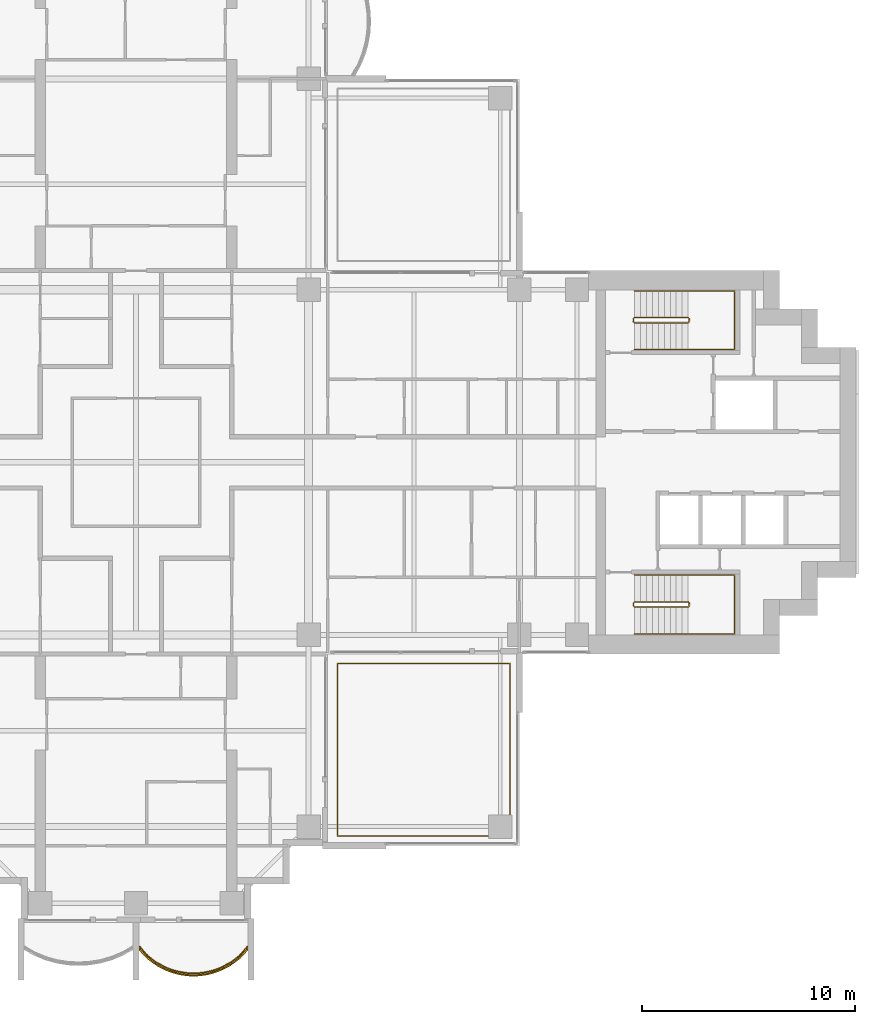
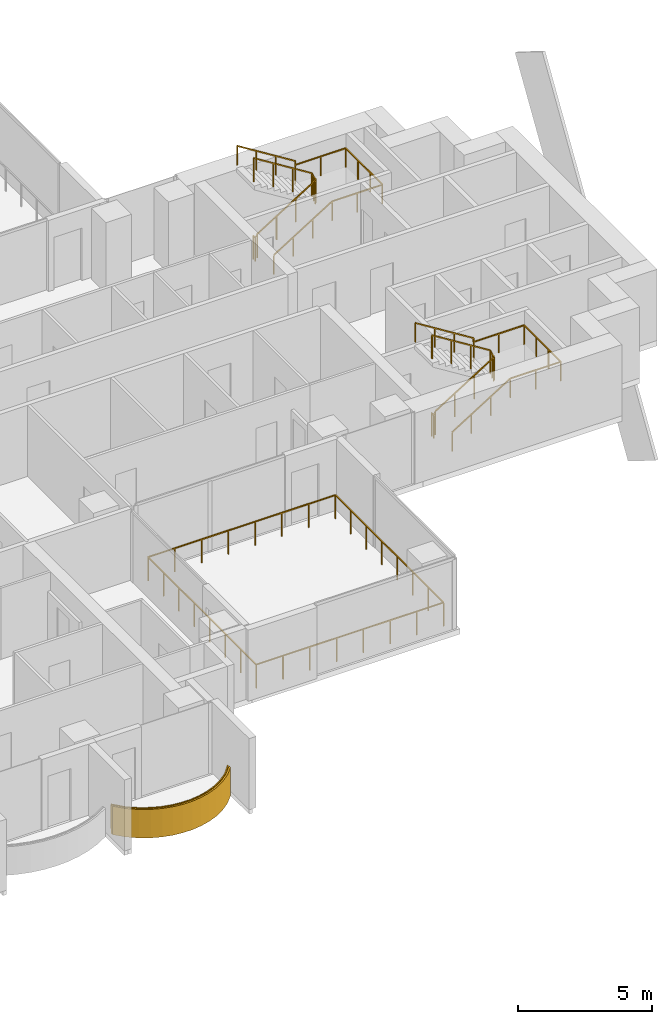
# One storey, part 17 of 19: 6 railings, 1 covering.
"""IFC4 building model written with IfcOpenShell, lengths in metres."""

from ifc_helpers import new_model, si_unit, direction, frame, origin, origin_2d, place, context, subcontext, project, spatial, polyline, rectangle, outline, extrude, material, layer, layer_set, type_object, element, save


model = new_model("IFC4")

# Units and contexts
model_context = context("Model", 3, precision=1e-05, world=origin(), true_north=direction((0.0, 1.0)))
body_context = subcontext(model_context, "Body", "Model", "MODEL_VIEW")
ifc_project = project(units=[si_unit("LENGTHUNIT", "METRE"), si_unit("AREAUNIT", "SQUARE_METRE"), si_unit("VOLUMEUNIT", "CUBIC_METRE"), si_unit("PLANEANGLEUNIT", "RADIAN"), si_unit("MASSUNIT", "GRAM", prefix="KILO")], contexts=[model_context])

# Site, building, storey
site_placement = place(None, origin())
site = spatial("IfcSite", under=ifc_project, at=site_placement, CompositionType="ELEMENT")
building_placement = place(site_placement, origin())
building = spatial("IfcBuilding", under=site, at=building_placement, Name="Perihelion Cross Residences", CompositionType="ELEMENT")
storey_placement = place(building_placement, frame((0.0, 0.0, 109.39990234375)))
storey = spatial("IfcBuildingStorey", under=building, at=storey_placement, Name="L25", CompositionType="ELEMENT", Elevation=109.39990234375)

# Covering
ifc_material_1 = material(Name="Bronze anodised aluminium", Category="aluminium")
ifc_layer = layer(ifc_material_1, 0.070068359375)
ifc_layer_set = layer_set([ifc_layer], Name="Balcony fascia 1300")
covering_type = type_object("IfcCoveringType", Name="Balcony fascia 1300", PredefinedType="CLADDING", material=ifc_layer_set)
covering_placement = place(storey_placement, frame((0.0, 0.0, -0.199951171875)))
element("IfcCovering", 1, at=covering_placement, inside=storey, type_object=covering_type, Name="Fascia BF1 L25 south tip south bay 2", PredefinedType="CLADDING", context=body_context, shape_type="SweptSolid", body=[
    extrude(outline(polyline([(0.4951171875, -23.27392578125), (0.89599609375, -23.58251953125), (1.296875, -23.806396484375), (1.69775390625, -23.9638671875), (2.0986328125, -24.064697265625), (2.49951171875, -24.114013671875), (2.900390625, -24.114013671875), (3.30126953125, -24.064697265625), (3.7021484375, -23.9638671875), (4.10302734375, -23.806396484375), (4.50390625, -23.58251953125), (4.90478515625, -23.27392578125), (5.25, -22.90283203125), (5.25, -22.800048828125), (4.857666015625, -23.22216796875), (4.46533203125, -23.524169921875), (4.072998046875, -23.7431640625), (3.6806640625, -23.897216796875), (3.28857421875, -23.995849609375), (2.896240234375, -24.0439453125), (2.50390625, -24.0439453125), (2.111572265625, -23.995849609375), (1.71923828125, -23.897216796875), (1.326904296875, -23.7431640625), (0.9345703125, -23.524169921875), (0.542236328125, -23.22216796875), (0.14990234375, -22.800048828125), (0.14990234375, -22.90283203125), (0.4951171875, -23.27392578125)])), origin(), (0.0, 0.0, 1.0), 1.300048828125),
])

# Railings
ifc_material_2 = material(Name="Bronze anodised aluminium", Category="aluminium")
railing_type_1 = type_object("IfcRailingType", Name="Balcony guard 1100", PredefinedType="GUARDRAIL", material=ifc_material_2)
railing_1_placement = place(storey_placement, frame((0.175048828125, -22.739990234375, 0.0)))
element("IfcRailing", 2, at=railing_1_placement, inside=storey, type_object=railing_type_1, Name="Guard GU1 L25 south tip south bay 2 balcony", PredefinedType="GUARDRAIL", context=body_context, shape_type="SweptSolid", body=[
    extrude(rectangle(XDim=0.048095703125, YDim=0.048095703125, at=origin_2d()), frame((0.0, 0.0, 1.076171875), z_axis=(0.656308349551, -0.754492776844, 0.0), x_axis=(0.754492776844, 0.656308349551, 0.0)), (0.0, 0.0, 1.0), 0.5595703125),
    extrude(rectangle(XDim=0.048095703125, YDim=0.048095703125, at=origin_2d()), frame((0.3671875, -0.422119140625, 1.076171875), z_axis=(0.792422303655, -0.609972862241, 0.0), x_axis=(0.609972862241, 0.792422303655, 0.0)), (0.0, 0.0, 1.0), 0.4951171875),
    extrude(rectangle(XDim=0.048095703125, YDim=0.048095703125, at=origin_2d()), frame((0.759521484375, -0.72412109375, 1.076171875), z_axis=(0.873181568748, -0.487395063576, 0.0), x_axis=(0.487395063576, 0.873181568748, 0.0)), (0.0, 0.0, 1.0), 0.44921875),
    extrude(rectangle(XDim=0.048095703125, YDim=0.048095703125, at=origin_2d()), frame((1.15185546875, -0.943115234375, 1.076171875), z_axis=(0.930617693705, -0.365992770642, 0.0), x_axis=(0.365992770642, 0.930617693705, 0.0)), (0.0, 0.0, 1.0), 0.421630859375),
    extrude(rectangle(XDim=0.048095703125, YDim=0.048095703125, at=origin_2d()), frame((1.544189453125, -1.097412109375, 1.076171875), z_axis=(0.969964714601, -0.243245662716, 0.0), x_axis=(0.243245662716, 0.969964714601, 0.0)), (0.0, 0.0, 1.0), 0.404541015625),
    extrude(rectangle(XDim=0.048095703125, YDim=0.048095703125, at=origin_2d()), frame((1.9365234375, -1.19580078125, 1.076171875), z_axis=(0.992494874491, -0.122286238425, 0.0), x_axis=(0.122286238425, 0.992494874491, 0.0)), (0.0, 0.0, 1.0), 0.395263671875),
    extrude(rectangle(XDim=0.048095703125, YDim=0.048095703125, at=origin_2d()), frame((2.328857421875, -1.244140625, 1.076171875), z_axis=(1.0, 0.0, 0.0), x_axis=(0.0, 1.0, 0.0)), (0.0, 0.0, 1.0), 0.392333984375),
    extrude(rectangle(XDim=0.048095703125, YDim=0.048095703125, at=origin_2d()), frame((2.72119140625, -1.244140625, 1.076171875), z_axis=(0.992494874491, 0.122286238425, 0.0), x_axis=(-0.122286238425, 0.992494874491, 0.0)), (0.0, 0.0, 1.0), 0.395263671875),
    extrude(rectangle(XDim=0.048095703125, YDim=0.048095703125, at=origin_2d()), frame((3.113525390625, -1.19580078125, 1.076171875), z_axis=(0.96992896989, 0.243388153715, 0.0), x_axis=(-0.243388153715, 0.96992896989, 0.0)), (0.0, 0.0, 1.0), 0.404296875),
    extrude(rectangle(XDim=0.048095703125, YDim=0.048095703125, at=origin_2d()), frame((3.505615234375, -1.097412109375, 1.076171875), z_axis=(0.930617693705, 0.365992770642, 0.0), x_axis=(-0.365992770642, 0.930617693705, 0.0)), (0.0, 0.0, 1.0), 0.421630859375),
    extrude(rectangle(XDim=0.048095703125, YDim=0.048095703125, at=origin_2d()), frame((3.89794921875, -0.943115234375, 1.076171875), z_axis=(0.873181568748, 0.487395063576, 0.0), x_axis=(-0.487395063576, 0.873181568748, 0.0)), (0.0, 0.0, 1.0), 0.44921875),
    extrude(rectangle(XDim=0.048095703125, YDim=0.048095703125, at=origin_2d()), frame((4.290283203125, -0.72412109375, 1.076171875), z_axis=(0.792422303655, 0.609972862241, 0.0), x_axis=(-0.609972862241, 0.792422303655, 0.0)), (0.0, 0.0, 1.0), 0.4951171875),
    extrude(rectangle(XDim=0.048095703125, YDim=0.048095703125, at=origin_2d()), frame((4.6826171875, -0.422119140625, 1.076171875), z_axis=(0.656556653543, 0.754276713606, 0.0), x_axis=(-0.754276713606, 0.656556653543, 0.0)), (0.0, 0.0, 1.0), 0.5595703125),
    extrude(rectangle(XDim=0.0419921875, YDim=0.0419921875, at=origin_2d()), origin(), (0.0, 0.0, 1.0), 1.052001953125),
    extrude(rectangle(XDim=0.0419921875, YDim=0.0419921875, at=origin_2d()), frame((0.3671875, -0.422119140625, 0.0)), (0.0, 0.0, 1.0), 1.052001953125),
    extrude(rectangle(XDim=0.0419921875, YDim=0.0419921875, at=origin_2d()), frame((0.759521484375, -0.72412109375, 0.0)), (0.0, 0.0, 1.0), 1.052001953125),
    extrude(rectangle(XDim=0.0419921875, YDim=0.0419921875, at=origin_2d()), frame((1.15185546875, -0.943115234375, 0.0)), (0.0, 0.0, 1.0), 1.052001953125),
    extrude(rectangle(XDim=0.0419921875, YDim=0.0419921875, at=origin_2d()), frame((1.544189453125, -1.097412109375, 0.0)), (0.0, 0.0, 1.0), 1.052001953125),
    extrude(rectangle(XDim=0.0419921875, YDim=0.0419921875, at=origin_2d()), frame((1.9365234375, -1.19580078125, 0.0)), (0.0, 0.0, 1.0), 1.052001953125),
    extrude(rectangle(XDim=0.0419921875, YDim=0.0419921875, at=origin_2d()), frame((2.328857421875, -1.244140625, 0.0)), (0.0, 0.0, 1.0), 1.052001953125),
    extrude(rectangle(XDim=0.0419921875, YDim=0.0419921875, at=origin_2d()), frame((2.72119140625, -1.244140625, 0.0)), (0.0, 0.0, 1.0), 1.052001953125),
    extrude(rectangle(XDim=0.0419921875, YDim=0.0419921875, at=origin_2d()), frame((3.113525390625, -1.19580078125, 0.0)), (0.0, 0.0, 1.0), 1.052001953125),
    extrude(rectangle(XDim=0.0419921875, YDim=0.0419921875, at=origin_2d()), frame((3.505615234375, -1.097412109375, 0.0)), (0.0, 0.0, 1.0), 1.052001953125),
    extrude(rectangle(XDim=0.0419921875, YDim=0.0419921875, at=origin_2d()), frame((3.89794921875, -0.943115234375, 0.0)), (0.0, 0.0, 1.0), 1.052001953125),
    extrude(rectangle(XDim=0.0419921875, YDim=0.0419921875, at=origin_2d()), frame((4.290283203125, -0.72412109375, 0.0)), (0.0, 0.0, 1.0), 1.052001953125),
    extrude(rectangle(XDim=0.0419921875, YDim=0.0419921875, at=origin_2d()), frame((4.6826171875, -0.422119140625, 0.0)), (0.0, 0.0, 1.0), 1.052001953125),
    extrude(rectangle(XDim=0.0419921875, YDim=0.0419921875, at=origin_2d()), frame((5.050048828125, 0.0, 0.0)), (0.0, 0.0, 1.0), 1.052001953125),
])
railing_2_placement = place(storey_placement, frame((17.550048828125, -17.550048828125, 0.0)))
element("IfcRailing", 3, at=railing_2_placement, inside=storey, type_object=railing_type_1, Name="Guard GU1 L25 pocket south-east 1", PredefinedType="GUARDRAIL", context=body_context, shape_type="SweptSolid", body=[
    extrude(rectangle(XDim=0.048095703125, YDim=0.048095703125, at=origin_2d()), frame((0.0, 0.0, 1.076171875), z_axis=(-1.0, 0.0, 0.0), x_axis=(0.0, -1.0, 0.0)), (0.0, 0.0, 1.0), 8.10009765625),
    extrude(rectangle(XDim=0.048095703125, YDim=0.048095703125, at=origin_2d()), frame((-8.10009765625, 0.0, 1.076171875), z_axis=(0.0, 1.0, 0.0), x_axis=(-1.0, 0.0, 0.0)), (0.0, 0.0, 1.0), 8.10009765625),
    extrude(rectangle(XDim=0.048095703125, YDim=0.048095703125, at=origin_2d()), frame((-8.10009765625, 8.10009765625, 1.076171875), z_axis=(1.0, 0.0, 0.0), x_axis=(0.0, 1.0, 0.0)), (0.0, 0.0, 1.0), 8.10009765625),
    extrude(rectangle(XDim=0.048095703125, YDim=0.048095703125, at=origin_2d()), frame((0.0, 8.10009765625, 1.076171875), z_axis=(0.0, -1.0, 0.0), x_axis=(1.0, 0.0, 0.0)), (0.0, 0.0, 1.0), 8.10009765625),
    extrude(rectangle(XDim=0.0419921875, YDim=0.0419921875, at=origin_2d()), origin(), (0.0, 0.0, 1.0), 1.052001953125),
    extrude(rectangle(XDim=0.0419921875, YDim=0.0419921875, at=origin_2d()), frame((-1.1572265625, 0.0, 0.0)), (0.0, 0.0, 1.0), 1.052001953125),
    extrude(rectangle(XDim=0.0419921875, YDim=0.0419921875, at=origin_2d()), frame((-2.314208984375, 0.0, 0.0)), (0.0, 0.0, 1.0), 1.052001953125),
    extrude(rectangle(XDim=0.0419921875, YDim=0.0419921875, at=origin_2d()), frame((-3.471435546875, 0.0, 0.0)), (0.0, 0.0, 1.0), 1.052001953125),
    extrude(rectangle(XDim=0.0419921875, YDim=0.0419921875, at=origin_2d()), frame((-4.628662109375, 0.0, 0.0)), (0.0, 0.0, 1.0), 1.052001953125),
    extrude(rectangle(XDim=0.0419921875, YDim=0.0419921875, at=origin_2d()), frame((-5.785888671875, 0.0, 0.0)), (0.0, 0.0, 1.0), 1.052001953125),
    extrude(rectangle(XDim=0.0419921875, YDim=0.0419921875, at=origin_2d()), frame((-6.94287109375, 0.0, 0.0)), (0.0, 0.0, 1.0), 1.052001953125),
    extrude(rectangle(XDim=0.0419921875, YDim=0.0419921875, at=origin_2d()), frame((-8.10009765625, 0.0, 0.0)), (0.0, 0.0, 1.0), 1.052001953125),
    extrude(rectangle(XDim=0.0419921875, YDim=0.0419921875, at=origin_2d()), frame((-8.10009765625, 1.1572265625, 0.0)), (0.0, 0.0, 1.0), 1.052001953125),
    extrude(rectangle(XDim=0.0419921875, YDim=0.0419921875, at=origin_2d()), frame((-8.10009765625, 2.314208984375, 0.0)), (0.0, 0.0, 1.0), 1.052001953125),
    extrude(rectangle(XDim=0.0419921875, YDim=0.0419921875, at=origin_2d()), frame((-8.10009765625, 3.471435546875, 0.0)), (0.0, 0.0, 1.0), 1.052001953125),
    extrude(rectangle(XDim=0.0419921875, YDim=0.0419921875, at=origin_2d()), frame((-8.10009765625, 4.628662109375, 0.0)), (0.0, 0.0, 1.0), 1.052001953125),
    extrude(rectangle(XDim=0.0419921875, YDim=0.0419921875, at=origin_2d()), frame((-8.10009765625, 5.785888671875, 0.0)), (0.0, 0.0, 1.0), 1.052001953125),
    extrude(rectangle(XDim=0.0419921875, YDim=0.0419921875, at=origin_2d()), frame((-8.10009765625, 6.94287109375, 0.0)), (0.0, 0.0, 1.0), 1.052001953125),
    extrude(rectangle(XDim=0.0419921875, YDim=0.0419921875, at=origin_2d()), frame((-8.10009765625, 8.10009765625, 0.0)), (0.0, 0.0, 1.0), 1.052001953125),
    extrude(rectangle(XDim=0.0419921875, YDim=0.0419921875, at=origin_2d()), frame((-6.94287109375, 8.10009765625, 0.0)), (0.0, 0.0, 1.0), 1.052001953125),
    extrude(rectangle(XDim=0.0419921875, YDim=0.0419921875, at=origin_2d()), frame((-5.785888671875, 8.10009765625, 0.0)), (0.0, 0.0, 1.0), 1.052001953125),
    extrude(rectangle(XDim=0.0419921875, YDim=0.0419921875, at=origin_2d()), frame((-4.628662109375, 8.10009765625, 0.0)), (0.0, 0.0, 1.0), 1.052001953125),
    extrude(rectangle(XDim=0.0419921875, YDim=0.0419921875, at=origin_2d()), frame((-3.471435546875, 8.10009765625, 0.0)), (0.0, 0.0, 1.0), 1.052001953125),
    extrude(rectangle(XDim=0.0419921875, YDim=0.0419921875, at=origin_2d()), frame((-2.314208984375, 8.10009765625, 0.0)), (0.0, 0.0, 1.0), 1.052001953125),
    extrude(rectangle(XDim=0.0419921875, YDim=0.0419921875, at=origin_2d()), frame((-1.1572265625, 8.10009765625, 0.0)), (0.0, 0.0, 1.0), 1.052001953125),
    extrude(rectangle(XDim=0.0419921875, YDim=0.0419921875, at=origin_2d()), frame((0.0, 8.10009765625, 0.0)), (0.0, 0.0, 1.0), 1.052001953125),
    extrude(rectangle(XDim=0.0419921875, YDim=0.0419921875, at=origin_2d()), frame((0.0, 6.94287109375, 0.0)), (0.0, 0.0, 1.0), 1.052001953125),
    extrude(rectangle(XDim=0.0419921875, YDim=0.0419921875, at=origin_2d()), frame((0.0, 5.785888671875, 0.0)), (0.0, 0.0, 1.0), 1.052001953125),
    extrude(rectangle(XDim=0.0419921875, YDim=0.0419921875, at=origin_2d()), frame((0.0, 4.628662109375, 0.0)), (0.0, 0.0, 1.0), 1.052001953125),
    extrude(rectangle(XDim=0.0419921875, YDim=0.0419921875, at=origin_2d()), frame((0.0, 3.471435546875, 0.0)), (0.0, 0.0, 1.0), 1.052001953125),
    extrude(rectangle(XDim=0.0419921875, YDim=0.0419921875, at=origin_2d()), frame((0.0, 2.314208984375, 0.0)), (0.0, 0.0, 1.0), 1.052001953125),
    extrude(rectangle(XDim=0.0419921875, YDim=0.0419921875, at=origin_2d()), frame((0.0, 1.1572265625, 0.0)), (0.0, 0.0, 1.0), 1.052001953125),
])
ifc_material_3 = material(Name="Stainless steel", Category="steel")
railing_type_2 = type_object("IfcRailingType", Name="Stair guard 1100", PredefinedType="GUARDRAIL", material=ifc_material_3)
railing_3_placement = place(storey_placement, frame((23.35009765625, 6.75, 0.0)))
element("IfcRailing", 4, at=railing_3_placement, inside=storey, type_object=railing_type_2, Name="L25 ST-E1 stair guard 1", PredefinedType="GUARDRAIL", context=body_context, shape_type="SweptSolid", body=[
    extrude(rectangle(XDim=0.048095703125, YDim=0.048095703125, at=origin_2d()), frame((0.0, 0.0, 1.076171875), z_axis=(0.0, -1.0, 0.0), x_axis=(1.0, 0.0, 0.0)), (0.0, 0.0, 1.0), 0.14990234375),
    extrude(rectangle(XDim=0.048095703125, YDim=0.048095703125, at=origin_2d()), frame((0.0, -0.14990234375, 1.076171875), z_axis=(0.263862480399, -0.265155923931, 0.927399011991), x_axis=(0.708833529934, 0.705375805398, 0.0)), (0.0, 0.0, 1.0), 0.188720703125),
    extrude(rectangle(XDim=0.048095703125, YDim=0.048095703125, at=origin_2d()), frame((0.0498046875, -0.199951171875, 1.2509765625), z_axis=(0.848007534815, 0.0, 0.529984170421), x_axis=(0.0, 1.0, 0.0)), (0.0, 0.0, 1.0), 2.9716796875),
    extrude(rectangle(XDim=0.048095703125, YDim=0.048095703125, at=origin_2d()), frame((2.56982421875, -0.199951171875, 2.826171875), z_axis=(0.707106781187, 0.707106781187, 0.0), x_axis=(-0.707106781187, 0.707106781187, 0.0)), (0.0, 0.0, 1.0), 0.07080078125),
    extrude(rectangle(XDim=0.048095703125, YDim=0.048095703125, at=origin_2d()), frame((2.619873046875, -0.14990234375, 2.826171875), z_axis=(0.0, 1.0, 0.0), x_axis=(-1.0, 0.0, 0.0)), (0.0, 0.0, 1.0), 0.14990234375),
    extrude(rectangle(XDim=0.048095703125, YDim=0.048095703125, at=origin_2d()), frame((2.619873046875, 0.0, 2.826171875), z_axis=(-0.265065253269, 0.265065253269, 0.927081885822), x_axis=(-0.707106781187, -0.707106781187, 0.0)), (0.0, 0.0, 1.0), 0.188720703125),
    extrude(rectangle(XDim=0.048095703125, YDim=0.048095703125, at=origin_2d()), frame((2.56982421875, 0.050048828125, 3.0009765625), z_axis=(-0.848007534815, 0.0, 0.529984170421), x_axis=(0.0, -1.0, 0.0)), (0.0, 0.0, 1.0), 2.9716796875),
    extrude(rectangle(XDim=0.0419921875, YDim=0.0419921875, at=origin_2d()), origin(), (0.0, 0.0, 1.0), 1.052001953125),
    extrude(rectangle(XDim=0.0419921875, YDim=0.0419921875, at=origin_2d()), frame((0.0, -0.14990234375, 0.0)), (0.0, 0.0, 1.0), 1.052001953125),
    extrude(rectangle(XDim=0.0419921875, YDim=0.0419921875, at=origin_2d()), frame((0.0498046875, -0.199951171875, 0.175048828125)), (0.0, 0.0, 1.0), 1.052001953125),
    extrude(rectangle(XDim=0.0419921875, YDim=0.0419921875, at=origin_2d()), frame((0.889892578125, -0.199951171875, 0.699951171875)), (0.0, 0.0, 1.0), 1.052001953125),
    extrude(rectangle(XDim=0.0419921875, YDim=0.0419921875, at=origin_2d()), frame((1.729736328125, -0.199951171875, 1.22509765625)), (0.0, 0.0, 1.0), 1.052001953125),
    extrude(rectangle(XDim=0.0419921875, YDim=0.0419921875, at=origin_2d()), frame((2.56982421875, -0.199951171875, 1.75)), (0.0, 0.0, 1.0), 1.052001953125),
    extrude(rectangle(XDim=0.0419921875, YDim=0.0419921875, at=origin_2d()), frame((2.619873046875, -0.14990234375, 1.75)), (0.0, 0.0, 1.0), 1.052001953125),
    extrude(rectangle(XDim=0.0419921875, YDim=0.0419921875, at=origin_2d()), frame((2.619873046875, 0.0, 1.75)), (0.0, 0.0, 1.0), 1.052001953125),
    extrude(rectangle(XDim=0.0419921875, YDim=0.0419921875, at=origin_2d()), frame((2.56982421875, 0.050048828125, 1.925048828125)), (0.0, 0.0, 1.0), 1.052001953125),
    extrude(rectangle(XDim=0.0419921875, YDim=0.0419921875, at=origin_2d()), frame((1.729736328125, 0.050048828125, 2.449951171875)), (0.0, 0.0, 1.0), 1.052001953125),
    extrude(rectangle(XDim=0.0419921875, YDim=0.0419921875, at=origin_2d()), frame((0.889892578125, 0.050048828125, 2.97509765625)), (0.0, 0.0, 1.0), 1.052001953125),
    extrude(rectangle(XDim=0.0419921875, YDim=0.0419921875, at=origin_2d()), frame((0.0498046875, 0.050048828125, 3.5)), (0.0, 0.0, 1.0), 1.052001953125),
])
railing_4_placement = place(storey_placement, frame((23.35009765625, -6.60009765625, 0.0)))
element("IfcRailing", 5, at=railing_4_placement, inside=storey, type_object=railing_type_2, Name="L25 ST-E2 stair guard 1", PredefinedType="GUARDRAIL", context=body_context, shape_type="SweptSolid", body=[
    extrude(rectangle(XDim=0.048095703125, YDim=0.048095703125, at=origin_2d()), frame((0.0, 0.0, 1.076171875), z_axis=(0.0, -1.0, 0.0), x_axis=(1.0, 0.0, 0.0)), (0.0, 0.0, 1.0), 0.14990234375),
    extrude(rectangle(XDim=0.048095703125, YDim=0.048095703125, at=origin_2d()), frame((0.0, -0.14990234375, 1.076171875), z_axis=(0.263862480399, -0.265155923931, 0.927399011991), x_axis=(0.708833529934, 0.705375805398, 0.0)), (0.0, 0.0, 1.0), 0.188720703125),
    extrude(rectangle(XDim=0.048095703125, YDim=0.048095703125, at=origin_2d()), frame((0.0498046875, -0.199951171875, 1.2509765625), z_axis=(0.848007534815, 0.0, 0.529984170421), x_axis=(0.0, 1.0, 0.0)), (0.0, 0.0, 1.0), 2.9716796875),
    extrude(rectangle(XDim=0.048095703125, YDim=0.048095703125, at=origin_2d()), frame((2.56982421875, -0.199951171875, 2.826171875), z_axis=(0.707106781187, 0.707106781187, 0.0), x_axis=(-0.707106781187, 0.707106781187, 0.0)), (0.0, 0.0, 1.0), 0.07080078125),
    extrude(rectangle(XDim=0.048095703125, YDim=0.048095703125, at=origin_2d()), frame((2.619873046875, -0.14990234375, 2.826171875), z_axis=(0.0, 1.0, 0.0), x_axis=(-1.0, 0.0, 0.0)), (0.0, 0.0, 1.0), 0.14990234375),
    extrude(rectangle(XDim=0.048095703125, YDim=0.048095703125, at=origin_2d()), frame((2.619873046875, 0.0, 2.826171875), z_axis=(-0.265065253269, 0.265065253269, 0.927081885822), x_axis=(-0.707106781187, -0.707106781187, 0.0)), (0.0, 0.0, 1.0), 0.188720703125),
    extrude(rectangle(XDim=0.048095703125, YDim=0.048095703125, at=origin_2d()), frame((2.56982421875, 0.050048828125, 3.0009765625), z_axis=(-0.848007534815, 0.0, 0.529984170421), x_axis=(0.0, -1.0, 0.0)), (0.0, 0.0, 1.0), 2.9716796875),
    extrude(rectangle(XDim=0.0419921875, YDim=0.0419921875, at=origin_2d()), origin(), (0.0, 0.0, 1.0), 1.052001953125),
    extrude(rectangle(XDim=0.0419921875, YDim=0.0419921875, at=origin_2d()), frame((0.0, -0.14990234375, 0.0)), (0.0, 0.0, 1.0), 1.052001953125),
    extrude(rectangle(XDim=0.0419921875, YDim=0.0419921875, at=origin_2d()), frame((0.0498046875, -0.199951171875, 0.175048828125)), (0.0, 0.0, 1.0), 1.052001953125),
    extrude(rectangle(XDim=0.0419921875, YDim=0.0419921875, at=origin_2d()), frame((0.889892578125, -0.199951171875, 0.699951171875)), (0.0, 0.0, 1.0), 1.052001953125),
    extrude(rectangle(XDim=0.0419921875, YDim=0.0419921875, at=origin_2d()), frame((1.729736328125, -0.199951171875, 1.22509765625)), (0.0, 0.0, 1.0), 1.052001953125),
    extrude(rectangle(XDim=0.0419921875, YDim=0.0419921875, at=origin_2d()), frame((2.56982421875, -0.199951171875, 1.75)), (0.0, 0.0, 1.0), 1.052001953125),
    extrude(rectangle(XDim=0.0419921875, YDim=0.0419921875, at=origin_2d()), frame((2.619873046875, -0.14990234375, 1.75)), (0.0, 0.0, 1.0), 1.052001953125),
    extrude(rectangle(XDim=0.0419921875, YDim=0.0419921875, at=origin_2d()), frame((2.619873046875, 0.0, 1.75)), (0.0, 0.0, 1.0), 1.052001953125),
    extrude(rectangle(XDim=0.0419921875, YDim=0.0419921875, at=origin_2d()), frame((2.56982421875, 0.050048828125, 1.925048828125)), (0.0, 0.0, 1.0), 1.052001953125),
    extrude(rectangle(XDim=0.0419921875, YDim=0.0419921875, at=origin_2d()), frame((1.729736328125, 0.050048828125, 2.449951171875)), (0.0, 0.0, 1.0), 1.052001953125),
    extrude(rectangle(XDim=0.0419921875, YDim=0.0419921875, at=origin_2d()), frame((0.889892578125, 0.050048828125, 2.97509765625)), (0.0, 0.0, 1.0), 1.052001953125),
    extrude(rectangle(XDim=0.0419921875, YDim=0.0419921875, at=origin_2d()), frame((0.0498046875, 0.050048828125, 3.5)), (0.0, 0.0, 1.0), 1.052001953125),
])
ifc_material_4 = material(Name="Stainless steel", Category="steel")
railing_type_3 = type_object("IfcRailingType", Name="Stair handrail 900", PredefinedType="HANDRAIL", material=ifc_material_4)
railing_5_placement = place(storey_placement, frame((23.39990234375, 5.300048828125, 0.175048828125)))
element("IfcRailing", 6, at=railing_5_placement, inside=storey, type_object=railing_type_3, Name="L25 ST-E1 stair handrail 1", PredefinedType="HANDRAIL", context=body_context, shape_type="SweptSolid", body=[
    extrude(rectangle(XDim=0.048095703125, YDim=0.048095703125, at=origin_2d()), frame((0.0, 0.0, 0.8759765625), z_axis=(0.848007534815, 0.0, 0.529984170421), x_axis=(0.0, 1.0, 0.0)), (0.0, 0.0, 1.0), 2.9716796875),
    extrude(rectangle(XDim=0.048095703125, YDim=0.048095703125, at=origin_2d()), frame((2.52001953125, 0.0, 2.45068359375), z_axis=(1.0, 0.0, 0.0), x_axis=(0.0, 1.0, 0.0)), (0.0, 0.0, 1.0), 2.18017578125),
    extrude(rectangle(XDim=0.048095703125, YDim=0.048095703125, at=origin_2d()), frame((4.7001953125, 0.0, 2.45068359375), z_axis=(0.0, 1.0, 0.0), x_axis=(-1.0, 0.0, 0.0)), (0.0, 0.0, 1.0), 2.75),
    extrude(rectangle(XDim=0.048095703125, YDim=0.048095703125, at=origin_2d()), frame((4.7001953125, 2.75, 2.45068359375), z_axis=(-1.0, 0.0, 0.0), x_axis=(0.0, -1.0, 0.0)), (0.0, 0.0, 1.0), 2.18017578125),
    extrude(rectangle(XDim=0.048095703125, YDim=0.048095703125, at=origin_2d()), frame((2.52001953125, 2.75, 2.45068359375), z_axis=(0.0, 0.0, 1.0), x_axis=(1.0, 0.0, 0.0)), (0.0, 0.0, 1.0), 0.175048828125),
    extrude(rectangle(XDim=0.048095703125, YDim=0.048095703125, at=origin_2d()), frame((2.52001953125, 2.75, 2.6259765625), z_axis=(-0.848007534815, 0.0, 0.529984170421), x_axis=(0.0, -1.0, 0.0)), (0.0, 0.0, 1.0), 2.9716796875),
    extrude(rectangle(XDim=0.0419921875, YDim=0.0419921875, at=origin_2d()), origin(), (0.0, 0.0, 1.0), 0.851806640625),
    extrude(rectangle(XDim=0.0419921875, YDim=0.0419921875, at=origin_2d()), frame((0.840087890625, 0.0, 0.52490234375)), (0.0, 0.0, 1.0), 0.851806640625),
    extrude(rectangle(XDim=0.0419921875, YDim=0.0419921875, at=origin_2d()), frame((1.679931640625, 0.0, 1.050048828125)), (0.0, 0.0, 1.0), 0.851806640625),
    extrude(rectangle(XDim=0.0419921875, YDim=0.0419921875, at=origin_2d()), frame((2.52001953125, 0.0, 1.574951171875)), (0.0, 0.0, 1.0), 0.851806640625),
    extrude(rectangle(XDim=0.0419921875, YDim=0.0419921875, at=origin_2d()), frame((3.610107421875, 0.0, 1.574951171875)), (0.0, 0.0, 1.0), 0.851806640625),
    extrude(rectangle(XDim=0.0419921875, YDim=0.0419921875, at=origin_2d()), frame((4.7001953125, 0.0, 1.574951171875)), (0.0, 0.0, 1.0), 0.851806640625),
    extrude(rectangle(XDim=0.0419921875, YDim=0.0419921875, at=origin_2d()), frame((4.7001953125, 0.916748046875, 1.574951171875)), (0.0, 0.0, 1.0), 0.851806640625),
    extrude(rectangle(XDim=0.0419921875, YDim=0.0419921875, at=origin_2d()), frame((4.7001953125, 1.833251953125, 1.574951171875)), (0.0, 0.0, 1.0), 0.851806640625),
    extrude(rectangle(XDim=0.0419921875, YDim=0.0419921875, at=origin_2d()), frame((4.7001953125, 2.75, 1.574951171875)), (0.0, 0.0, 1.0), 0.851806640625),
    extrude(rectangle(XDim=0.0419921875, YDim=0.0419921875, at=origin_2d()), frame((3.610107421875, 2.75, 1.574951171875)), (0.0, 0.0, 1.0), 0.851806640625),
    extrude(rectangle(XDim=0.0419921875, YDim=0.0419921875, at=origin_2d()), frame((2.52001953125, 2.75, 1.574951171875)), (0.0, 0.0, 1.0), 0.851806640625),
    extrude(rectangle(XDim=0.0419921875, YDim=0.0419921875, at=origin_2d()), frame((2.52001953125, 2.75, 1.75)), (0.0, 0.0, 1.0), 0.851806640625),
    extrude(rectangle(XDim=0.0419921875, YDim=0.0419921875, at=origin_2d()), frame((1.679931640625, 2.75, 2.27490234375)), (0.0, 0.0, 1.0), 0.851806640625),
    extrude(rectangle(XDim=0.0419921875, YDim=0.0419921875, at=origin_2d()), frame((0.840087890625, 2.75, 2.800048828125)), (0.0, 0.0, 1.0), 0.851806640625),
    extrude(rectangle(XDim=0.0419921875, YDim=0.0419921875, at=origin_2d()), frame((0.0, 2.75, 3.324951171875)), (0.0, 0.0, 1.0), 0.851806640625),
])
railing_6_placement = place(storey_placement, frame((23.39990234375, -8.050048828125, 0.175048828125)))
element("IfcRailing", 7, at=railing_6_placement, inside=storey, type_object=railing_type_3, Name="L25 ST-E2 stair handrail 1", PredefinedType="HANDRAIL", context=body_context, shape_type="SweptSolid", body=[
    extrude(rectangle(XDim=0.048095703125, YDim=0.048095703125, at=origin_2d()), frame((0.0, 0.0, 0.8759765625), z_axis=(0.848007534815, 0.0, 0.529984170421), x_axis=(0.0, 1.0, 0.0)), (0.0, 0.0, 1.0), 2.9716796875),
    extrude(rectangle(XDim=0.048095703125, YDim=0.048095703125, at=origin_2d()), frame((2.52001953125, 0.0, 2.45068359375), z_axis=(1.0, 0.0, 0.0), x_axis=(0.0, 1.0, 0.0)), (0.0, 0.0, 1.0), 2.18017578125),
    extrude(rectangle(XDim=0.048095703125, YDim=0.048095703125, at=origin_2d()), frame((4.7001953125, 0.0, 2.45068359375), z_axis=(0.0, 1.0, 0.0), x_axis=(-1.0, 0.0, 0.0)), (0.0, 0.0, 1.0), 2.75),
    extrude(rectangle(XDim=0.048095703125, YDim=0.048095703125, at=origin_2d()), frame((4.7001953125, 2.75, 2.45068359375), z_axis=(-1.0, 0.0, 0.0), x_axis=(0.0, -1.0, 0.0)), (0.0, 0.0, 1.0), 2.18017578125),
    extrude(rectangle(XDim=0.048095703125, YDim=0.048095703125, at=origin_2d()), frame((2.52001953125, 2.75, 2.45068359375), z_axis=(0.0, 0.0, 1.0), x_axis=(1.0, 0.0, 0.0)), (0.0, 0.0, 1.0), 0.175048828125),
    extrude(rectangle(XDim=0.048095703125, YDim=0.048095703125, at=origin_2d()), frame((2.52001953125, 2.75, 2.6259765625), z_axis=(-0.848007534815, 0.0, 0.529984170421), x_axis=(0.0, -1.0, 0.0)), (0.0, 0.0, 1.0), 2.9716796875),
    extrude(rectangle(XDim=0.0419921875, YDim=0.0419921875, at=origin_2d()), origin(), (0.0, 0.0, 1.0), 0.851806640625),
    extrude(rectangle(XDim=0.0419921875, YDim=0.0419921875, at=origin_2d()), frame((0.840087890625, 0.0, 0.52490234375)), (0.0, 0.0, 1.0), 0.851806640625),
    extrude(rectangle(XDim=0.0419921875, YDim=0.0419921875, at=origin_2d()), frame((1.679931640625, 0.0, 1.050048828125)), (0.0, 0.0, 1.0), 0.851806640625),
    extrude(rectangle(XDim=0.0419921875, YDim=0.0419921875, at=origin_2d()), frame((2.52001953125, 0.0, 1.574951171875)), (0.0, 0.0, 1.0), 0.851806640625),
    extrude(rectangle(XDim=0.0419921875, YDim=0.0419921875, at=origin_2d()), frame((3.610107421875, 0.0, 1.574951171875)), (0.0, 0.0, 1.0), 0.851806640625),
    extrude(rectangle(XDim=0.0419921875, YDim=0.0419921875, at=origin_2d()), frame((4.7001953125, 0.0, 1.574951171875)), (0.0, 0.0, 1.0), 0.851806640625),
    extrude(rectangle(XDim=0.0419921875, YDim=0.0419921875, at=origin_2d()), frame((4.7001953125, 0.916748046875, 1.574951171875)), (0.0, 0.0, 1.0), 0.851806640625),
    extrude(rectangle(XDim=0.0419921875, YDim=0.0419921875, at=origin_2d()), frame((4.7001953125, 1.833251953125, 1.574951171875)), (0.0, 0.0, 1.0), 0.851806640625),
    extrude(rectangle(XDim=0.0419921875, YDim=0.0419921875, at=origin_2d()), frame((4.7001953125, 2.75, 1.574951171875)), (0.0, 0.0, 1.0), 0.851806640625),
    extrude(rectangle(XDim=0.0419921875, YDim=0.0419921875, at=origin_2d()), frame((3.610107421875, 2.75, 1.574951171875)), (0.0, 0.0, 1.0), 0.851806640625),
    extrude(rectangle(XDim=0.0419921875, YDim=0.0419921875, at=origin_2d()), frame((2.52001953125, 2.75, 1.574951171875)), (0.0, 0.0, 1.0), 0.851806640625),
    extrude(rectangle(XDim=0.0419921875, YDim=0.0419921875, at=origin_2d()), frame((2.52001953125, 2.75, 1.75)), (0.0, 0.0, 1.0), 0.851806640625),
    extrude(rectangle(XDim=0.0419921875, YDim=0.0419921875, at=origin_2d()), frame((1.679931640625, 2.75, 2.27490234375)), (0.0, 0.0, 1.0), 0.851806640625),
    extrude(rectangle(XDim=0.0419921875, YDim=0.0419921875, at=origin_2d()), frame((0.840087890625, 2.75, 2.800048828125)), (0.0, 0.0, 1.0), 0.851806640625),
    extrude(rectangle(XDim=0.0419921875, YDim=0.0419921875, at=origin_2d()), frame((0.0, 2.75, 3.324951171875)), (0.0, 0.0, 1.0), 0.851806640625),
])

save(model, "model.ifc")
